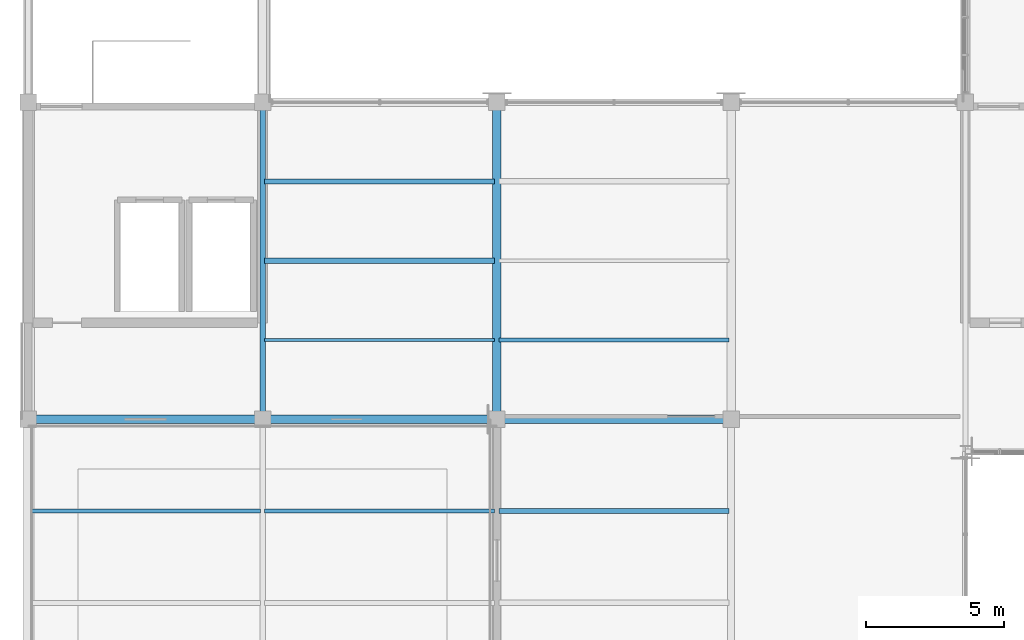
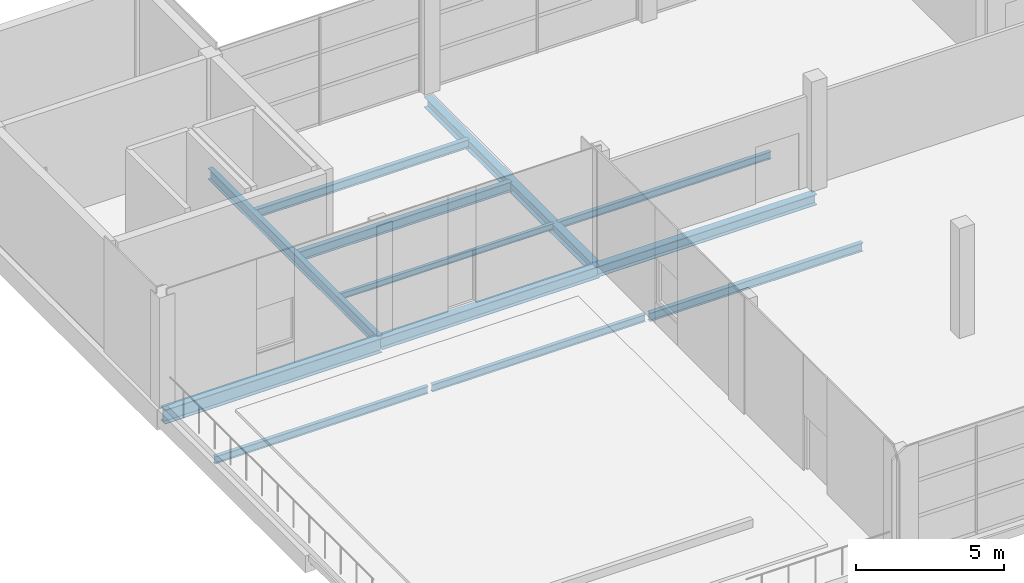
# One storey, part 12 of 46: 12 beams.
"""IFC4 building model written with IfcOpenShell, lengths in metres."""

from ifc_helpers import new_model, si_unit, direction, frame, origin, origin_2d, place, context, subcontext, project, spatial, i_section, extrude, material, material_profile, profile_set, type_object, element, save


model = new_model("IFC4")

# Units and contexts
model_context = context("Model", 3, precision=1e-05, world=origin(), true_north=direction((0.0, 1.0)))
body_context = subcontext(model_context, "Body", "Model", "MODEL_VIEW")
ifc_project = project(units=[si_unit("LENGTHUNIT", "METRE"), si_unit("AREAUNIT", "SQUARE_METRE"), si_unit("VOLUMEUNIT", "CUBIC_METRE"), si_unit("PLANEANGLEUNIT", "RADIAN"), si_unit("MASSUNIT", "GRAM", prefix="KILO")], contexts=[model_context])

# Site, building, storey
site_placement = place(None, origin())
site = spatial("IfcSite", under=ifc_project, at=site_placement, CompositionType="ELEMENT")
building_placement = place(site_placement, origin())
building = spatial("IfcBuilding", under=site, at=building_placement, Name="Solvikara Media Centre", CompositionType="ELEMENT")
storey_placement = place(building_placement, frame((0.0, 0.0, 24.60009765625)))
storey = spatial("IfcBuildingStorey", under=building, at=storey_placement, Name="L05", CompositionType="ELEMENT", Elevation=24.60009765625)

# Beams
ifc_material = material(Name="Steel S355JR", Category="steel")
ifc_material_profile_1 = material_profile(ifc_material, i_section(OverallWidth=0.199951171875, OverallDepth=0.449951171875, WebThickness=0.009033203125, FlangeThickness=0.013916015625, at=origin_2d()), Name="WF 450x200x9x14")
ifc_profile_set_1 = profile_set([ifc_material_profile_1], Name="Steel S355JR")
beam_type_1 = type_object("IfcBeamType", Name="BM-20", PredefinedType="BEAM", material=ifc_profile_set_1)
beam_1_placement = place(storey_placement, frame((42.5, 20.5, -0.507080078125), z_axis=(0.0, 1.0, 0.0), x_axis=(-1.0, 0.0, 0.0)))
element("IfcBeam", 1, at=beam_1_placement, inside=storey, type_object=beam_type_1, Name="B-L05-Y1656", PredefinedType="BEAM", context=body_context, shape_type="SweptSolid", body=[
    extrude(i_section(OverallWidth=0.199951171875, OverallDepth=0.449951171875, WebThickness=0.009033203125, FlangeThickness=0.013916015625, at=origin_2d()), origin(), (0.0, 0.0, 1.0), 11.5),
])
ifc_material_profile_2 = material_profile(ifc_material, i_section(OverallWidth=0.199951171875, OverallDepth=0.39990234375, WebThickness=0.008056640625, FlangeThickness=0.012939453125, at=origin_2d()), Name="WF 400x200x8x13")
ifc_profile_set_2 = profile_set([ifc_material_profile_2], Name="Steel S355JR")
beam_type_2 = type_object("IfcBeamType", Name="BM-21", PredefinedType="JOIST", material=ifc_profile_set_2)
beam_2_placement = place(storey_placement, frame((42.577880859375, 26.25, -0.482177734375), z_axis=(1.0, 0.0, 0.0), x_axis=(0.0, 1.0, 0.0)))
element("IfcBeam", 2, at=beam_2_placement, inside=storey, type_object=beam_type_2, Name="J-L05-1681", PredefinedType="JOIST", context=body_context, shape_type="SweptSolid", body=[
    extrude(i_section(OverallWidth=0.199951171875, OverallDepth=0.39990234375, WebThickness=0.008056640625, FlangeThickness=0.012939453125, at=origin_2d()), origin(), (0.0, 0.0, 1.0), 8.34423828125),
])
ifc_material_profile_3 = material_profile(ifc_material, i_section(OverallWidth=0.175048828125, OverallDepth=0.35009765625, WebThickness=0.007080078125, FlangeThickness=0.010986328125, at=origin_2d()), Name="WF 350x175x7x11")
ifc_profile_set_3 = profile_set([ifc_material_profile_3], Name="Steel S355JR")
beam_type_3 = type_object("IfcBeamType", Name="BM-22", PredefinedType="JOIST", material=ifc_profile_set_3)
beam_3_placement = place(storey_placement, frame((42.577880859375, 29.125, -0.45703125), z_axis=(1.0, 0.0, 0.0), x_axis=(0.0, 1.0, 0.0)))
element("IfcBeam", 3, at=beam_3_placement, inside=storey, type_object=beam_type_3, Name="J-L05-1682", PredefinedType="JOIST", context=body_context, shape_type="SweptSolid", body=[
    extrude(i_section(OverallWidth=0.175048828125, OverallDepth=0.35009765625, WebThickness=0.007080078125, FlangeThickness=0.010986328125, at=origin_2d()), origin(), (0.0, 0.0, 1.0), 8.34423828125),
])
ifc_material_profile_4 = material_profile(ifc_material, i_section(OverallWidth=0.14990234375, OverallDepth=0.300048828125, WebThickness=0.006591796875, FlangeThickness=0.009033203125, at=origin_2d()), Name="WF 300x150x6.5x9")
ifc_profile_set_4 = profile_set([ifc_material_profile_4], Name="Steel S355JR")
beam_type_4 = type_object("IfcBeamType", Name="BM-23", PredefinedType="JOIST", material=ifc_profile_set_4)
beam_4_placement = place(storey_placement, frame((34.077880859375, 17.1669921875, -0.422119140625), z_axis=(1.0, 0.0, 0.0), x_axis=(0.0, 1.0, 0.0)))
element("IfcBeam", 4, at=beam_4_placement, inside=storey, type_object=beam_type_4, Name="J-L05-1675", PredefinedType="JOIST", context=body_context, shape_type="SweptSolid", body=[
    extrude(i_section(OverallWidth=0.14990234375, OverallDepth=0.300048828125, WebThickness=0.006591796875, FlangeThickness=0.009033203125, at=origin_2d()), origin(), (0.0, 0.0, 1.0), 8.34423828125),
])
ifc_material_profile_5 = material_profile(ifc_material, i_section(OverallWidth=0.300048828125, OverallDepth=0.587890625, WebThickness=0.011962890625, FlangeThickness=0.02001953125, at=origin_2d()), Name="H 588x300x12x20")
ifc_profile_set_5 = profile_set([ifc_material_profile_5], Name="Steel S355JR")
beam_type_5 = type_object("IfcBeamType", Name="BM-26", PredefinedType="BEAM", material=ifc_profile_set_5)
beam_5_placement = place(storey_placement, frame((34.0, 20.5, -0.576171875), z_axis=(1.0, 0.0, 0.0), x_axis=(0.0, 1.0, 0.0)))
element("IfcBeam", 5, at=beam_5_placement, inside=storey, type_object=beam_type_5, Name="B-L05-X1644", PredefinedType="BEAM", context=body_context, shape_type="SweptSolid", body=[
    extrude(i_section(OverallWidth=0.300048828125, OverallDepth=0.587890625, WebThickness=0.011962890625, FlangeThickness=0.02001953125, at=origin_2d()), origin(), (0.0, 0.0, 1.0), 8.5),
])
ifc_material_profile_6 = material_profile(ifc_material, i_section(OverallWidth=0.300048828125, OverallDepth=0.488037109375, WebThickness=0.010986328125, FlangeThickness=0.01806640625, at=origin_2d()), Name="H 488x300x11x18")
ifc_profile_set_6 = profile_set([ifc_material_profile_6], Name="Steel S355JR")
beam_type_6 = type_object("IfcBeamType", Name="BM-27", PredefinedType="BEAM", material=ifc_profile_set_6)
beam_6_placement = place(storey_placement, frame((42.5, 20.5, -0.526123046875), z_axis=(1.0, 0.0, 0.0), x_axis=(0.0, 1.0, 0.0)))
element("IfcBeam", 6, at=beam_6_placement, inside=storey, type_object=beam_type_6, Name="B-L05-X1645", PredefinedType="BEAM", context=body_context, shape_type="SweptSolid", body=[
    extrude(i_section(OverallWidth=0.300048828125, OverallDepth=0.488037109375, WebThickness=0.010986328125, FlangeThickness=0.01806640625, at=origin_2d()), origin(), (0.0, 0.0, 1.0), 8.5),
])
ifc_material_profile_7 = material_profile(ifc_material, i_section(OverallWidth=0.300048828125, OverallDepth=0.43994140625, WebThickness=0.010986328125, FlangeThickness=0.01806640625, at=origin_2d()), Name="H 440x300x11x18")
ifc_profile_set_7 = profile_set([ifc_material_profile_7], Name="Steel S355JR")
beam_type_7 = type_object("IfcBeamType", Name="BM-28", PredefinedType="BEAM", material=ifc_profile_set_7)
beam_7_placement = place(storey_placement, frame((51.0, 20.5, -0.502197265625), z_axis=(1.0, 0.0, 0.0), x_axis=(0.0, 1.0, 0.0)))
element("IfcBeam", 7, at=beam_7_placement, inside=storey, type_object=beam_type_7, Name="B-L05-X1646", PredefinedType="BEAM", context=body_context, shape_type="SweptSolid", body=[
    extrude(i_section(OverallWidth=0.300048828125, OverallDepth=0.43994140625, WebThickness=0.010986328125, FlangeThickness=0.01806640625, at=origin_2d()), origin(), (0.0, 0.0, 1.0), 8.5),
])
beam_8_placement = place(storey_placement, frame((51.0, 20.5, -0.502197265625), z_axis=(0.0, 1.0, 0.0), x_axis=(-1.0, 0.0, 0.0)))
element("IfcBeam", 8, at=beam_8_placement, inside=storey, type_object=beam_type_7, Name="B-L05-Y1660", PredefinedType="BEAM", context=body_context, shape_type="SweptSolid", body=[
    extrude(i_section(OverallWidth=0.300048828125, OverallDepth=0.43994140625, WebThickness=0.010986328125, FlangeThickness=0.01806640625, at=origin_2d()), origin(), (0.0, 0.0, 1.0), 11.5),
])
ifc_material_profile_8 = material_profile(ifc_material, i_section(OverallWidth=0.174072265625, OverallDepth=0.345947265625, WebThickness=0.006103515625, FlangeThickness=0.009033203125, at=origin_2d()), Name="WF 346x174x6x9")
ifc_profile_set_8 = profile_set([ifc_material_profile_8], Name="Steel S355JR")
beam_type_8 = type_object("IfcBeamType", Name="BM-38", PredefinedType="JOIST", material=ifc_profile_set_8)
beam_9_placement = place(storey_placement, frame((51.077880859375, 17.1669921875, -0.455078125), z_axis=(1.0, 0.0, 0.0), x_axis=(0.0, 1.0, 0.0)))
element("IfcBeam", 9, at=beam_9_placement, inside=storey, type_object=beam_type_8, Name="J-L05-1686", PredefinedType="JOIST", context=body_context, shape_type="SweptSolid", body=[
    extrude(i_section(OverallWidth=0.174072265625, OverallDepth=0.345947265625, WebThickness=0.006103515625, FlangeThickness=0.009033203125, at=origin_2d()), origin(), (0.0, 0.0, 1.0), 8.34423828125),
])
ifc_material_profile_9 = material_profile(ifc_material, i_section(OverallWidth=0.14892578125, OverallDepth=0.298095703125, WebThickness=0.005615234375, FlangeThickness=0.008056640625, at=origin_2d()), Name="WF 298x149x5.5x8")
ifc_profile_set_9 = profile_set([ifc_material_profile_9], Name="Steel S355JR")
beam_type_9 = type_object("IfcBeamType", Name="BM-39", PredefinedType="JOIST", material=ifc_profile_set_9)
for number, where, z_axis, x_axis, name in (
    (10, (42.577880859375, 17.1669921875, -0.421142578125), (1.0, 0.0, 0.0), (0.0, 1.0, 0.0), "J-L05-1679"),
    (11, (51.077880859375, 23.375, -0.43115234375), (1.0, 0.0, 0.0), (0.0, 1.0, 0.0), "J-L05-1687"),
):
    element("IfcBeam", number, at=place(storey_placement, frame(where, z_axis=z_axis, x_axis=x_axis)), inside=storey, type_object=beam_type_9, Name=name, PredefinedType="JOIST", context=body_context, shape_type="SweptSolid", body=[
        extrude(i_section(OverallWidth=0.14892578125, OverallDepth=0.298095703125, WebThickness=0.005615234375, FlangeThickness=0.008056640625, at=origin_2d()), origin(), (0.0, 0.0, 1.0), 8.34423828125),
    ])
ifc_material_profile_10 = material_profile(ifc_material, i_section(OverallWidth=0.1240234375, OverallDepth=0.248046875, WebThickness=0.0048828125, FlangeThickness=0.008056640625, at=origin_2d()), Name="WF 248x124x5x8")
ifc_profile_set_10 = profile_set([ifc_material_profile_10], Name="Steel S355JR")
beam_type_10 = type_object("IfcBeamType", Name="BM-40", PredefinedType="JOIST", material=ifc_profile_set_10)
beam_10_placement = place(storey_placement, frame((42.577880859375, 23.375, -0.406005859375), z_axis=(1.0, 0.0, 0.0), x_axis=(0.0, 1.0, 0.0)))
element("IfcBeam", 12, at=beam_10_placement, inside=storey, type_object=beam_type_10, Name="J-L05-1680", PredefinedType="JOIST", context=body_context, shape_type="SweptSolid", body=[
    extrude(i_section(OverallWidth=0.1240234375, OverallDepth=0.248046875, WebThickness=0.0048828125, FlangeThickness=0.008056640625, at=origin_2d()), origin(), (0.0, 0.0, 1.0), 8.34423828125),
])

save(model, "model.ifc")
